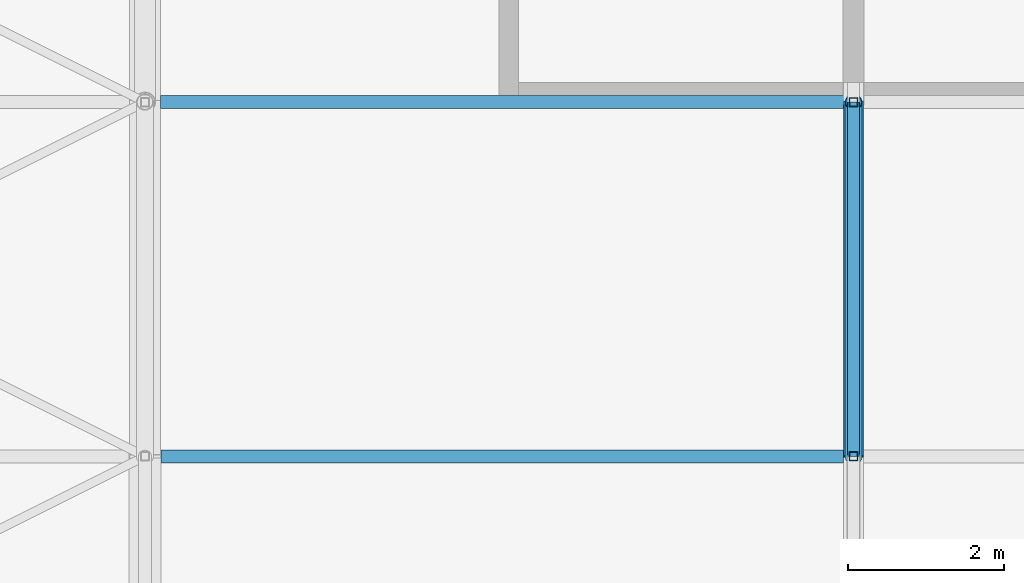
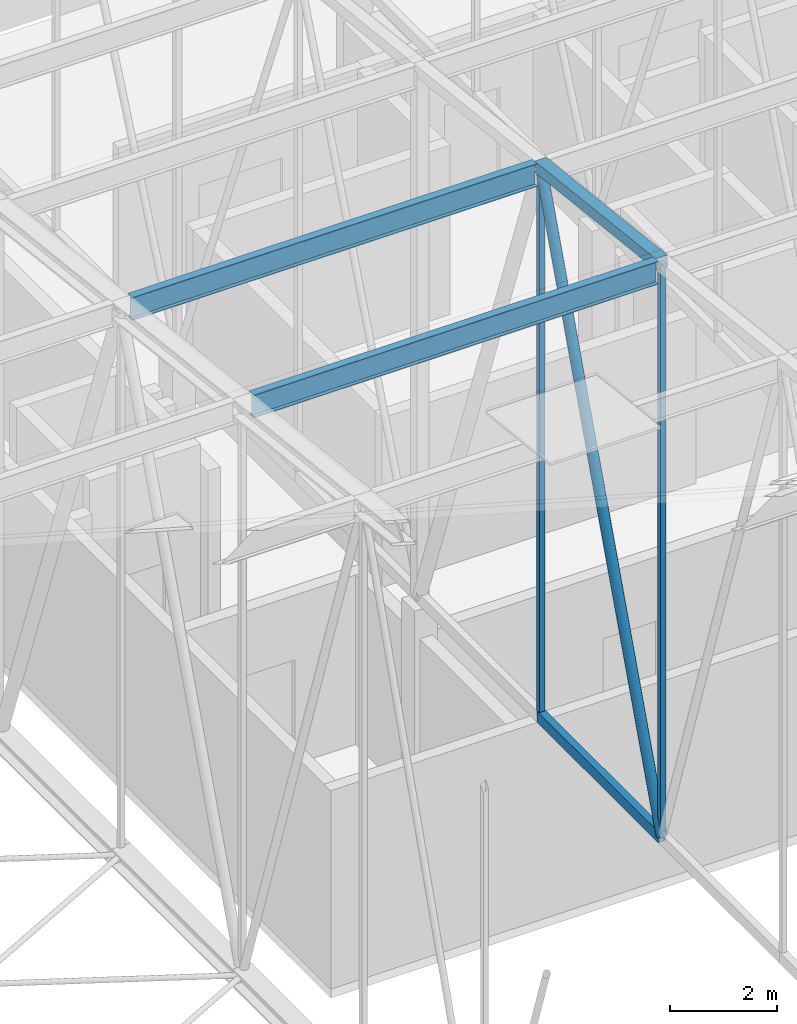
# One storey, part 280 of 500: 7 members.
"""IFC4 building model written with IfcOpenShell, lengths in metres."""

import ifcopenshell
import ifcopenshell.guid

model = None  # the IFC model being written
_history = None  # IfcOwnerHistory: only IFC2X3 demands one
_inside = {}  # id of a spatial element -> (the spatial element, [elements in it])
_under = {}  # id of a project, library or spatial element -> (it, [spatial elements below it])
_declared = {}  # id of a project -> (the project, [libraries it declares])
_typed = {}  # id of a type object -> (the type object, [elements of that type])
_made_of = {}  # id of a material, layer set ... -> (it, [elements and type objects made of it])


def new_model(schema):
    """Start an empty IFC model of exactly this schema.

    Asked for "IFC4X3", IfcOpenShell would pick the latest addendum, in which some entities
    have other attributes; the version numbers below select the first issue.
    IFC2X3 requires an IfcOwnerHistory on every rooted entity: one is made here for all.
    """
    global model, _history
    if schema == "IFC4X3":
        model = ifcopenshell.file(schema_version=(4, 3, 0, 0))
    else:
        model = ifcopenshell.file(schema=schema)
    _inside.clear()
    _under.clear()
    _declared.clear()
    _typed.clear()
    _made_of.clear()
    _history = None
    if model.schema == "IFC2X3":
        org = make("IfcOrganization", Name="unknown")
        user = make(
            "IfcPersonAndOrganization",
            ThePerson=make("IfcPerson", FamilyName="unknown"),
            TheOrganization=org,
        )
        app = make(
            "IfcApplication",
            ApplicationDeveloper=org,
            Version="unknown",
            ApplicationFullName="unknown",
            ApplicationIdentifier="unknown",
        )
        _history = make(
            "IfcOwnerHistory",
            OwningUser=user,
            OwningApplication=app,
            ChangeAction="ADDED",
            CreationDate=0,
        )
    return model


def make(cls, **values):
    """One entity of the class cls with the attributes given. An attribute that is None is left unset."""
    return model.create_entity(
        cls, **{name: value for name, value in values.items() if value is not None}
    )


def rooted(cls, **values):
    """An entity with a GlobalId (a new one), such as an element, a storey or a relation."""
    return make(cls, GlobalId=ifcopenshell.guid.new(), OwnerHistory=_history, **values)


def si_unit(unit_type, name, prefix=None):
    """IfcSIUnit, for example si_unit("LENGTHUNIT", "METRE", prefix="MILLI")."""
    return make("IfcSIUnit", UnitType=unit_type, Prefix=prefix, Name=name)


def assignment(units):
    """IfcUnitAssignment: the units of a project."""
    return None if units is None else make("IfcUnitAssignment", Units=units)


def point(xyz):
    """IfcCartesianPoint."""
    return None if xyz is None else make("IfcCartesianPoint", Coordinates=xyz)


def direction(xyz):
    """IfcDirection."""
    return None if xyz is None else make("IfcDirection", DirectionRatios=xyz)


def frame(location, z_axis=None, x_axis=None):
    """IfcAxis2Placement3D, a coordinate frame: its origin and axes. An axis left out is left unset."""
    return make(
        "IfcAxis2Placement3D",
        Location=point(location),
        Axis=direction(z_axis),
        RefDirection=direction(x_axis),
    )


def frame_2d(location, x_axis=None):
    """IfcAxis2Placement2D, a coordinate frame in the plane: its origin and x axis."""
    return make(
        "IfcAxis2Placement2D", Location=point(location), RefDirection=direction(x_axis)
    )


def origin():
    """The frame at (0, 0, 0) with its axes left unset."""
    return frame((0.0, 0.0, 0.0))


def origin_2d():
    """The frame at (0, 0) in the plane with its x axis left unset."""
    return frame_2d((0.0, 0.0))


def place(relative_to, where):
    """IfcLocalPlacement: puts the frame where relative to a parent placement (None: the world)."""
    return make(
        "IfcLocalPlacement", PlacementRelTo=relative_to, RelativePlacement=where
    )


def context(
    kind, dimensions, precision=None, world=None, true_north=None, identifier=None
):
    """IfcGeometricRepresentationContext, for example the 3D "Model" context."""
    return make(
        "IfcGeometricRepresentationContext",
        ContextIdentifier=identifier,
        ContextType=kind,
        CoordinateSpaceDimension=dimensions,
        Precision=precision,
        WorldCoordinateSystem=world,
        TrueNorth=true_north,
    )


def subcontext(parent, identifier, kind, view, scale=None):
    """IfcGeometricRepresentationSubContext, for example "Body" below "Model"."""
    return make(
        "IfcGeometricRepresentationSubContext",
        ContextIdentifier=identifier,
        ContextType=kind,
        ParentContext=parent,
        TargetScale=scale,
        TargetView=view,
    )


def project(units=None, contexts=None):
    """IfcProject with its units and contexts."""
    return rooted(
        "IfcProject",
        Name="project",
        RepresentationContexts=contexts,
        UnitsInContext=assignment(units),
    )


def spatial(cls, under=None, at=None, **own):
    """A site, building, storey or space (cls), placed at a placement, below another one or the project."""
    s = rooted(cls, ObjectPlacement=at, **own)
    if under is not None:
        _under.setdefault(under.id(), (under, []))[1].append(s)
    return s


def profile(cls, at=None, kind="AREA", **sizes):
    """A parametric profile (cls). Its sizes go by their IFC names, for example OverallWidth=200.0."""
    return make(cls, ProfileType=kind, Position=at, **sizes)


def hollow_rectangle(**sizes):
    """IfcRectangleHollowProfileDef."""
    return profile("IfcRectangleHollowProfileDef", **sizes)


def hollow_circle(**sizes):
    """IfcCircleHollowProfileDef."""
    return profile("IfcCircleHollowProfileDef", **sizes)


def i_section(**sizes):
    """IfcIShapeProfileDef."""
    return profile("IfcIShapeProfileDef", **sizes)


def extrude(swept, where, along, depth):
    """IfcExtrudedAreaSolid: the profile swept, set in the frame where, extruded along a direction by depth."""
    return make(
        "IfcExtrudedAreaSolid",
        SweptArea=swept,
        Position=where,
        ExtrudedDirection=direction(along),
        Depth=depth,
    )


def shape(context_of_items, identifier, shape_type, items):
    """IfcShapeRepresentation: the items that make up one representation, for example the "Body"."""
    return make(
        "IfcShapeRepresentation",
        ContextOfItems=context_of_items,
        RepresentationIdentifier=identifier,
        RepresentationType=shape_type,
        Items=items,
    )


def material(Name=None, Category=None):
    """IfcMaterial."""
    return make("IfcMaterial", Name=Name, Category=Category)


def material_profile(
    of_material, cross_section, Name=None, Category=None, Priority=None
):
    """IfcMaterialProfile: a cross section and its material."""
    return make(
        "IfcMaterialProfile",
        Name=Name,
        Material=of_material,
        Profile=cross_section,
        Priority=Priority,
        Category=Category,
    )


def profile_set(profiles, Name=None, composite=None):
    """IfcMaterialProfileSet."""
    return make(
        "IfcMaterialProfileSet",
        Name=Name,
        MaterialProfiles=profiles,
        CompositeProfile=composite,
    )


def made_of(thing, what):
    """Note that an element or type object is made of a material, layer set ...; save() writes the relation."""
    if what is not None:
        _made_of.setdefault(what.id(), (what, []))[1].append(thing)
    return thing


def type_object(cls, material=None, **own):
    """A type object (cls), such as IfcWallType, which elements share."""
    return made_of(rooted(cls, **own), material)


def element(
    cls,
    number,
    at=None,
    inside=None,
    cuts=None,
    type_object=None,
    material=None,
    context=None,
    identifier="Body",
    shape_type=None,
    held_by="IfcProductDefinitionShape",
    body=None,
    shapes=None,
    **own,
):
    """One element of the class cls, such as IfcWall. Its Tag is "e" and its number.

    at: its placement. inside: the storey or other place that contains it. cuts: it is an
    opening in that element (IfcRelVoidsElement). A single representation is given by context,
    identifier, shape_type and body (its items); several are given by shapes. held_by: the class
    of the entity that holds the representations. save() writes the other relations.
    """
    e = rooted(cls, Tag="e%d" % number, ObjectPlacement=at, **own)
    if body is not None:
        shapes = [shape(context, identifier, shape_type, body)]
    if shapes is not None:
        e.Representation = make(held_by, Representations=shapes)
    if inside is not None:
        _inside.setdefault(inside.id(), (inside, []))[1].append(e)
    if cuts is not None:
        rooted(
            "IfcRelVoidsElement", RelatingBuildingElement=cuts, RelatedOpeningElement=e
        )
    if type_object is not None:
        _typed.setdefault(type_object.id(), (type_object, []))[1].append(e)
    return made_of(e, material)


def aggregate(whole, parts):
    """IfcRelAggregates: a whole, such as a stair, and the parts it consists of."""
    return rooted("IfcRelAggregates", RelatingObject=whole, RelatedObjects=parts)


def save(model, path):
    """Write the relations noted so far, then the file.

    IfcRelAggregates (storeys below a building ...), IfcRelContainedInSpatialStructure (elements
    in a storey), IfcRelDefinesByType, IfcRelAssociatesMaterial and IfcRelDeclares: one each for
    every whole, place, type object, material and project.
    """
    for whole, parts in _under.values():
        aggregate(whole, parts)
    for where, things in _inside.values():
        rooted(
            "IfcRelContainedInSpatialStructure",
            RelatedElements=things,
            RelatingStructure=where,
        )
    for kind, things in _typed.values():
        rooted("IfcRelDefinesByType", RelatedObjects=things, RelatingType=kind)
    for what, things in _made_of.values():
        rooted("IfcRelAssociatesMaterial", RelatedObjects=things, RelatingMaterial=what)
    for by, libraries in _declared.values():
        rooted("IfcRelDeclares", RelatingContext=by, RelatedDefinitions=libraries)
    model.write(path)


model = new_model("IFC4")

# Units and contexts
model_context = context("Model", 3, precision=1e-05, world=origin(), true_north=direction((0.0, 1.0)))
body_context = subcontext(model_context, "Body", "Model", "MODEL_VIEW")
ifc_project = project(units=[si_unit("LENGTHUNIT", "METRE"), si_unit("AREAUNIT", "SQUARE_METRE"), si_unit("VOLUMEUNIT", "CUBIC_METRE"), si_unit("PLANEANGLEUNIT", "RADIAN"), si_unit("MASSUNIT", "GRAM", prefix="KILO")], contexts=[model_context])

# Site, building, storey
site_placement = place(None, origin())
site = spatial("IfcSite", under=ifc_project, at=site_placement, CompositionType="ELEMENT")
building_placement = place(site_placement, origin())
building = spatial("IfcBuilding", under=site, at=building_placement, Name="Shirokan Park Arena", CompositionType="ELEMENT")
storey_placement = place(building_placement, frame((0.0, 0.0, 29.1201171875)))
storey = spatial("IfcBuildingStorey", under=building, at=storey_placement, Name="L06", CompositionType="ELEMENT", Elevation=29.1201171875)

# Members
ifc_material_1 = material(Name="Steel ASTM A500 Grade C", Category="steel")
ifc_material_profile_1 = material_profile(ifc_material_1, hollow_rectangle(XDim=0.152099609375, YDim=0.25390625, WallThickness=0.009521484375, at=origin_2d()), Name="HSS254X152.4X9.5")
ifc_profile_set_1 = profile_set([ifc_material_profile_1], Name="Steel ASTM A500 Grade C")
member_type_1 = type_object("IfcMemberType", Name="Bottom chord HSS254X152.4X9.5", PredefinedType="CHORD", material=ifc_profile_set_1)
member_1_placement = place(storey_placement, frame((109.199951171875, 63.699951171875, 4.677001953125), z_axis=(0.0, 1.0, 0.0), x_axis=(-1.0, 0.0, 0.0)))
element("IfcMember", 1, at=member_1_placement, inside=storey, type_object=member_type_1, Name="Truss T13 bottom chord 17", PredefinedType="CHORD", context=body_context, shape_type="SweptSolid", body=[
    extrude(hollow_rectangle(XDim=0.152099609375, YDim=0.25390625, WallThickness=0.009521484375, at=origin_2d()), origin(), (0.0, 0.0, 1.0), 4.550048828125),
])
ifc_material_2 = material(Name="Steel ASTM A992", Category="steel")
ifc_material_profile_2 = material_profile(ifc_material_2, i_section(OverallWidth=0.166015625, OverallDepth=0.528076171875, WebThickness=0.009765625, FlangeThickness=0.013671875, at=origin_2d()), Name="W530X74")
ifc_profile_set_2 = profile_set([ifc_material_profile_2], Name="Steel ASTM A992")
member_type_2 = type_object("IfcMemberType", Name="Purlin W530X74", PredefinedType="PURLIN", material=ifc_profile_set_2)
member_2_placement = place(storey_placement, frame((100.302978515625, 63.699951171875, 17.685791015625), z_axis=(1.0, 0.0, 0.0), x_axis=(0.0, 1.0, 0.0)))
element("IfcMember", 2, at=member_2_placement, inside=storey, type_object=member_type_2, Name="Purlin 17 bay 12", PredefinedType="PURLIN", context=body_context, shape_type="SweptSolid", body=[
    extrude(i_section(OverallWidth=0.166015625, OverallDepth=0.528076171875, WebThickness=0.009765625, FlangeThickness=0.013671875, at=origin_2d()), origin(), (0.0, 0.0, 1.0), 8.77001953125),
])
member_3_placement = place(storey_placement, frame((100.300537109375, 68.25, 17.165771484375), z_axis=(1.0, 0.0, 0.0), x_axis=(0.0, 1.0, 0.0)))
element("IfcMember", 3, at=member_3_placement, inside=storey, type_object=member_type_2, Name="Purlin 18 bay 12", PredefinedType="PURLIN", context=body_context, shape_type="SweptSolid", body=[
    extrude(i_section(OverallWidth=0.166015625, OverallDepth=0.528076171875, WebThickness=0.009765625, FlangeThickness=0.013671875, at=origin_2d()), origin(), (0.0, 0.0, 1.0), 8.7724609375),
])
ifc_material_profile_3 = material_profile(ifc_material_1, hollow_rectangle(XDim=0.25390625, YDim=0.25390625, WallThickness=0.009521484375, at=origin_2d()), Name="HSS254X254X9.5")
ifc_profile_set_3 = profile_set([ifc_material_profile_3], Name="Steel ASTM A500 Grade C")
member_type_3 = type_object("IfcMemberType", Name="Top chord HSS254X254X9.5", PredefinedType="CHORD", material=ifc_profile_set_3)
member_4_placement = place(storey_placement, frame((109.199951171875, 63.699951171875, 17.822998046875), z_axis=(0.0, 0.993532328996, -0.113549598152), x_axis=(-1.0, 0.0, 0.0)))
element("IfcMember", 4, at=member_4_placement, inside=storey, type_object=member_type_3, Name="Truss T13 top chord 17", PredefinedType="CHORD", context=body_context, shape_type="SweptSolid", body=[
    extrude(hollow_rectangle(XDim=0.25390625, YDim=0.25390625, WallThickness=0.009521484375, at=origin_2d()), origin(), (0.0, 0.0, 1.0), 4.57958984375),
])
ifc_material_profile_4 = material_profile(ifc_material_1, hollow_circle(Radius=0.109619140625, WallThickness=0.009521484375, at=origin_2d()), Name="HSS219.1X9.5")
ifc_profile_set_4 = profile_set([ifc_material_profile_4], Name="Steel ASTM A500 Grade C")
member_type_4 = type_object("IfcMemberType", Name="Truss diagonal HSS219.1X9.5", PredefinedType="BRACE", material=ifc_profile_set_4)
member_5_placement = place(storey_placement, frame((109.199951171875, 63.699951171875, 4.677001953125), z_axis=(0.0, 0.339029292845, 0.940775817394), x_axis=(-1.0, 0.0, 0.0)))
element("IfcMember", 5, at=member_5_placement, inside=storey, type_object=member_type_4, Name="Truss T13 diagonal 17", PredefinedType="BRACE", context=body_context, shape_type="SweptSolid", body=[
    extrude(hollow_circle(Radius=0.109619140625, WallThickness=0.009521484375, at=origin_2d()), origin(), (0.0, 0.0, 1.0), 13.4208984375),
])
ifc_material_profile_5 = material_profile(ifc_material_1, hollow_rectangle(XDim=0.114013671875, YDim=0.114013671875, WallThickness=0.00634765625, at=origin_2d()), Name="HSS114.3X114.3X6.4")
ifc_profile_set_5 = profile_set([ifc_material_profile_5], Name="Steel ASTM A500 Grade C")
member_type_5 = type_object("IfcMemberType", Name="Truss post HSS114.3X114.3X6.4", PredefinedType="POST", material=ifc_profile_set_5)
member_6_placement = place(storey_placement, frame((109.199951171875, 63.699951171875, 4.677001953125), z_axis=(0.0, 0.0, 1.0), x_axis=(1.0, 0.0, 0.0)))
element("IfcMember", 6, at=member_6_placement, inside=storey, type_object=member_type_5, Name="Truss T13 post 17", PredefinedType="POST", context=body_context, shape_type="SweptSolid", body=[
    extrude(hollow_rectangle(XDim=0.114013671875, YDim=0.114013671875, WallThickness=0.00634765625, at=origin_2d()), origin(), (0.0, 0.0, 1.0), 13.14599609375),
])
member_7_placement = place(storey_placement, frame((109.199951171875, 68.25, 4.677001953125), z_axis=(0.0, 0.0, 1.0), x_axis=(1.0, 0.0, 0.0)))
element("IfcMember", 7, at=member_7_placement, inside=storey, type_object=member_type_5, Name="Truss T13 post 18", PredefinedType="POST", context=body_context, shape_type="SweptSolid", body=[
    extrude(hollow_rectangle(XDim=0.114013671875, YDim=0.114013671875, WallThickness=0.00634765625, at=origin_2d()), origin(), (0.0, 0.0, 1.0), 12.6259765625),
])

save(model, "model.ifc")
